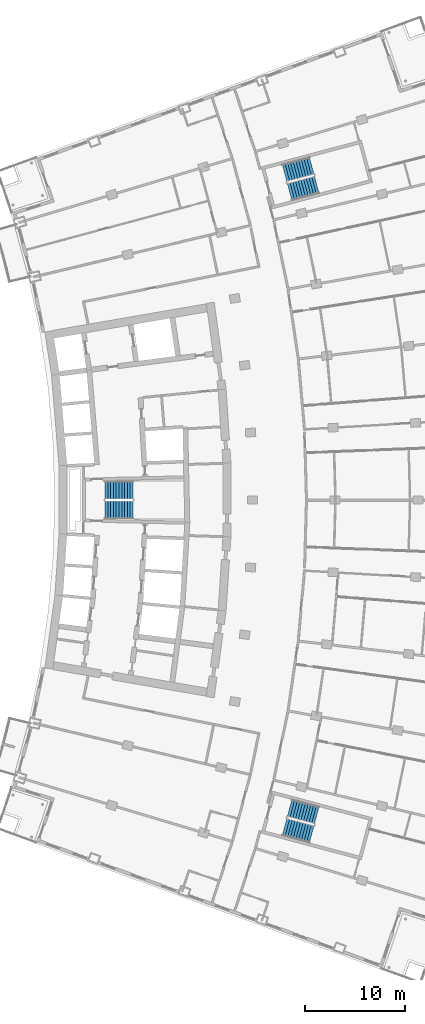
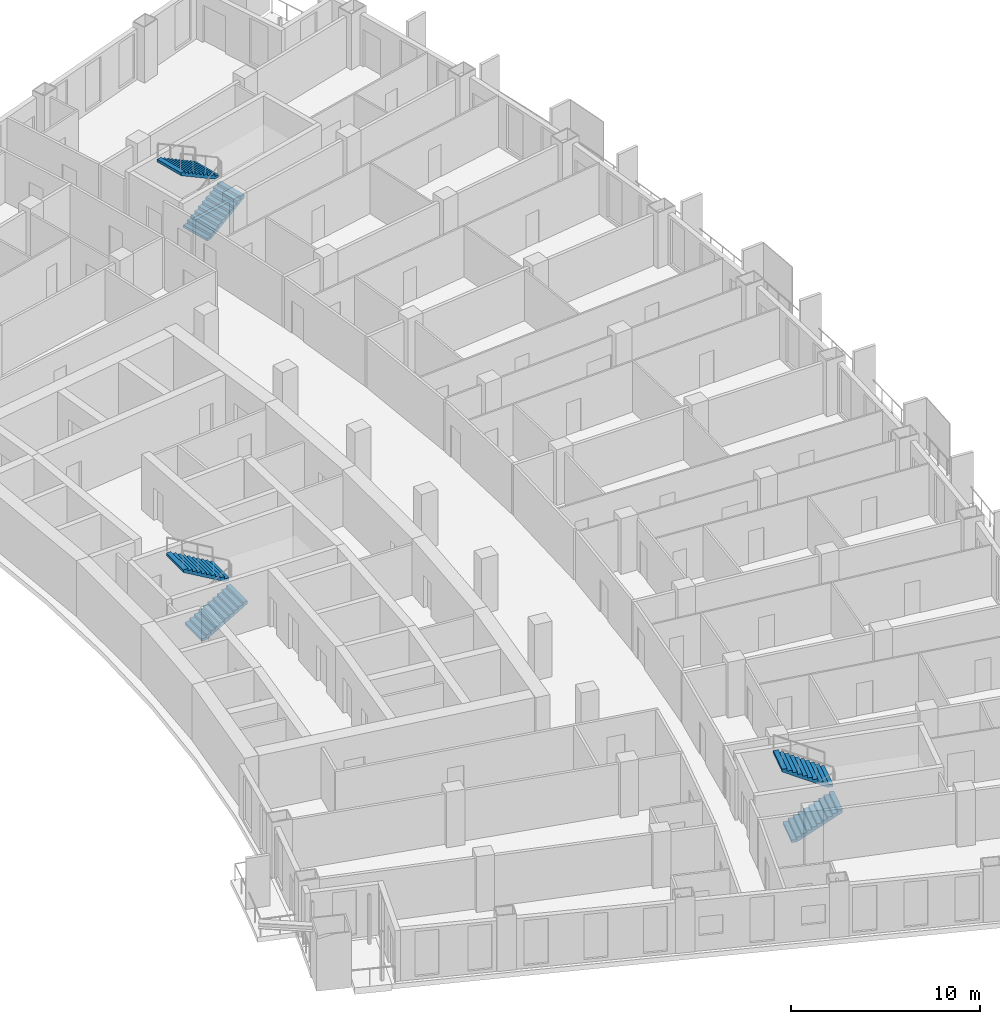
# One storey, part 22 of 25: 6 stair flights, 3 elements without a shape of their own.
"""IFC4 building model written with IfcOpenShell, lengths in metres."""

import ifcopenshell
import ifcopenshell.guid

model = None  # the IFC model being written
_history = None  # IfcOwnerHistory: only IFC2X3 demands one
_inside = {}  # id of a spatial element -> (the spatial element, [elements in it])
_under = {}  # id of a project, library or spatial element -> (it, [spatial elements below it])
_declared = {}  # id of a project -> (the project, [libraries it declares])
_typed = {}  # id of a type object -> (the type object, [elements of that type])
_made_of = {}  # id of a material, layer set ... -> (it, [elements and type objects made of it])


def new_model(schema):
    """Start an empty IFC model of exactly this schema.

    Asked for "IFC4X3", IfcOpenShell would pick the latest addendum, in which some entities
    have other attributes; the version numbers below select the first issue.
    IFC2X3 requires an IfcOwnerHistory on every rooted entity: one is made here for all.
    """
    global model, _history
    if schema == "IFC4X3":
        model = ifcopenshell.file(schema_version=(4, 3, 0, 0))
    else:
        model = ifcopenshell.file(schema=schema)
    _inside.clear()
    _under.clear()
    _declared.clear()
    _typed.clear()
    _made_of.clear()
    _history = None
    if model.schema == "IFC2X3":
        org = make("IfcOrganization", Name="unknown")
        user = make(
            "IfcPersonAndOrganization",
            ThePerson=make("IfcPerson", FamilyName="unknown"),
            TheOrganization=org,
        )
        app = make(
            "IfcApplication",
            ApplicationDeveloper=org,
            Version="unknown",
            ApplicationFullName="unknown",
            ApplicationIdentifier="unknown",
        )
        _history = make(
            "IfcOwnerHistory",
            OwningUser=user,
            OwningApplication=app,
            ChangeAction="ADDED",
            CreationDate=0,
        )
    return model


def make(cls, **values):
    """One entity of the class cls with the attributes given. An attribute that is None is left unset."""
    return model.create_entity(
        cls, **{name: value for name, value in values.items() if value is not None}
    )


def rooted(cls, **values):
    """An entity with a GlobalId (a new one), such as an element, a storey or a relation."""
    return make(cls, GlobalId=ifcopenshell.guid.new(), OwnerHistory=_history, **values)


def si_unit(unit_type, name, prefix=None):
    """IfcSIUnit, for example si_unit("LENGTHUNIT", "METRE", prefix="MILLI")."""
    return make("IfcSIUnit", UnitType=unit_type, Prefix=prefix, Name=name)


def assignment(units):
    """IfcUnitAssignment: the units of a project."""
    return None if units is None else make("IfcUnitAssignment", Units=units)


def point(xyz):
    """IfcCartesianPoint."""
    return None if xyz is None else make("IfcCartesianPoint", Coordinates=xyz)


def direction(xyz):
    """IfcDirection."""
    return None if xyz is None else make("IfcDirection", DirectionRatios=xyz)


def frame(location, z_axis=None, x_axis=None):
    """IfcAxis2Placement3D, a coordinate frame: its origin and axes. An axis left out is left unset."""
    return make(
        "IfcAxis2Placement3D",
        Location=point(location),
        Axis=direction(z_axis),
        RefDirection=direction(x_axis),
    )


def origin():
    """The frame at (0, 0, 0) with its axes left unset."""
    return frame((0.0, 0.0, 0.0))


def place(relative_to, where):
    """IfcLocalPlacement: puts the frame where relative to a parent placement (None: the world)."""
    return make(
        "IfcLocalPlacement", PlacementRelTo=relative_to, RelativePlacement=where
    )


def context(
    kind, dimensions, precision=None, world=None, true_north=None, identifier=None
):
    """IfcGeometricRepresentationContext, for example the 3D "Model" context."""
    return make(
        "IfcGeometricRepresentationContext",
        ContextIdentifier=identifier,
        ContextType=kind,
        CoordinateSpaceDimension=dimensions,
        Precision=precision,
        WorldCoordinateSystem=world,
        TrueNorth=true_north,
    )


def subcontext(parent, identifier, kind, view, scale=None):
    """IfcGeometricRepresentationSubContext, for example "Body" below "Model"."""
    return make(
        "IfcGeometricRepresentationSubContext",
        ContextIdentifier=identifier,
        ContextType=kind,
        ParentContext=parent,
        TargetScale=scale,
        TargetView=view,
    )


def project(units=None, contexts=None):
    """IfcProject with its units and contexts."""
    return rooted(
        "IfcProject",
        Name="project",
        RepresentationContexts=contexts,
        UnitsInContext=assignment(units),
    )


def spatial(cls, under=None, at=None, **own):
    """A site, building, storey or space (cls), placed at a placement, below another one or the project."""
    s = rooted(cls, ObjectPlacement=at, **own)
    if under is not None:
        _under.setdefault(under.id(), (under, []))[1].append(s)
    return s


def polyline(points):
    """IfcPolyline through the points."""
    return make("IfcPolyline", Points=[point(p) for p in points])


def outline(outer, holes=None, kind="AREA"):
    """IfcArbitraryClosedProfileDef: a profile drawn as a closed curve; with holes, ...WithVoids."""
    if holes is None:
        return make("IfcArbitraryClosedProfileDef", ProfileType=kind, OuterCurve=outer)
    return make(
        "IfcArbitraryProfileDefWithVoids",
        ProfileType=kind,
        OuterCurve=outer,
        InnerCurves=holes,
    )


def extrude(swept, where, along, depth):
    """IfcExtrudedAreaSolid: the profile swept, set in the frame where, extruded along a direction by depth."""
    return make(
        "IfcExtrudedAreaSolid",
        SweptArea=swept,
        Position=where,
        ExtrudedDirection=direction(along),
        Depth=depth,
    )


def shape(context_of_items, identifier, shape_type, items):
    """IfcShapeRepresentation: the items that make up one representation, for example the "Body"."""
    return make(
        "IfcShapeRepresentation",
        ContextOfItems=context_of_items,
        RepresentationIdentifier=identifier,
        RepresentationType=shape_type,
        Items=items,
    )


def material(Name=None, Category=None):
    """IfcMaterial."""
    return make("IfcMaterial", Name=Name, Category=Category)


def layer(
    of_material, thickness, ventilated=None, Name=None, Category=None, Priority=None
):
    """IfcMaterialLayer: one layer of a wall or slab, of a material (None: an air gap)."""
    return make(
        "IfcMaterialLayer",
        Material=of_material,
        LayerThickness=thickness,
        IsVentilated=ventilated,
        Name=Name,
        Category=Category,
        Priority=Priority,
    )


def layer_set(layers, Name=None):
    """IfcMaterialLayerSet."""
    return make("IfcMaterialLayerSet", MaterialLayers=layers, LayerSetName=Name)


def made_of(thing, what):
    """Note that an element or type object is made of a material, layer set ...; save() writes the relation."""
    if what is not None:
        _made_of.setdefault(what.id(), (what, []))[1].append(thing)
    return thing


def type_object(cls, material=None, **own):
    """A type object (cls), such as IfcWallType, which elements share."""
    return made_of(rooted(cls, **own), material)


def element(
    cls,
    number,
    at=None,
    inside=None,
    cuts=None,
    type_object=None,
    material=None,
    context=None,
    identifier="Body",
    shape_type=None,
    held_by="IfcProductDefinitionShape",
    body=None,
    shapes=None,
    **own,
):
    """One element of the class cls, such as IfcWall. Its Tag is "e" and its number.

    at: its placement. inside: the storey or other place that contains it. cuts: it is an
    opening in that element (IfcRelVoidsElement). A single representation is given by context,
    identifier, shape_type and body (its items); several are given by shapes. held_by: the class
    of the entity that holds the representations. save() writes the other relations.
    """
    e = rooted(cls, Tag="e%d" % number, ObjectPlacement=at, **own)
    if body is not None:
        shapes = [shape(context, identifier, shape_type, body)]
    if shapes is not None:
        e.Representation = make(held_by, Representations=shapes)
    if inside is not None:
        _inside.setdefault(inside.id(), (inside, []))[1].append(e)
    if cuts is not None:
        rooted(
            "IfcRelVoidsElement", RelatingBuildingElement=cuts, RelatedOpeningElement=e
        )
    if type_object is not None:
        _typed.setdefault(type_object.id(), (type_object, []))[1].append(e)
    return made_of(e, material)


def aggregate(whole, parts):
    """IfcRelAggregates: a whole, such as a stair, and the parts it consists of."""
    return rooted("IfcRelAggregates", RelatingObject=whole, RelatedObjects=parts)


def save(model, path):
    """Write the relations noted so far, then the file.

    IfcRelAggregates (storeys below a building ...), IfcRelContainedInSpatialStructure (elements
    in a storey), IfcRelDefinesByType, IfcRelAssociatesMaterial and IfcRelDeclares: one each for
    every whole, place, type object, material and project.
    """
    for whole, parts in _under.values():
        aggregate(whole, parts)
    for where, things in _inside.values():
        rooted(
            "IfcRelContainedInSpatialStructure",
            RelatedElements=things,
            RelatingStructure=where,
        )
    for kind, things in _typed.values():
        rooted("IfcRelDefinesByType", RelatedObjects=things, RelatingType=kind)
    for what, things in _made_of.values():
        rooted("IfcRelAssociatesMaterial", RelatedObjects=things, RelatingMaterial=what)
    for by, libraries in _declared.values():
        rooted("IfcRelDeclares", RelatingContext=by, RelatedDefinitions=libraries)
    model.write(path)


model = new_model("IFC4")

# Units and contexts
model_context = context("Model", 3, precision=1e-05, world=origin(), true_north=direction((0.0, 1.0)))
body_context = subcontext(model_context, "Body", "Model", "MODEL_VIEW")
ifc_project = project(units=[si_unit("LENGTHUNIT", "METRE"), si_unit("AREAUNIT", "SQUARE_METRE"), si_unit("VOLUMEUNIT", "CUBIC_METRE"), si_unit("PLANEANGLEUNIT", "RADIAN"), si_unit("MASSUNIT", "GRAM", prefix="KILO")], contexts=[model_context])

# Site, building, storey
site_placement = place(None, origin())
site = spatial("IfcSite", under=ifc_project, at=site_placement, CompositionType="ELEMENT")
building_placement = place(site_placement, origin())
building = spatial("IfcBuilding", under=site, at=building_placement, Name="Alderwake Tower", CompositionType="ELEMENT")
storey_placement = place(building_placement, frame((0.0, 0.0, 118.39990234375)))
storey = spatial("IfcBuildingStorey", under=building, at=storey_placement, Name="L29", CompositionType="ELEMENT", Elevation=118.39990234375)

# Stair, stair flights
ifc_material_1 = material(Name="Concrete C40/50", Category="concrete")
stair_type = type_object("IfcStairType", Name="Core exit stair", PredefinedType="HALF_TURN_STAIR", material=ifc_material_1)
stair_1_placement = place(storey_placement, origin())
stair_1 = element("IfcStair", 1, at=stair_1_placement, inside=storey, type_object=stair_type, Name="L29 Exit Stair B", PredefinedType="HALF_TURN_STAIR")
ifc_material_2 = material(Name="Concrete C40/50", Category="concrete")
ifc_layer = layer(ifc_material_2, 0.14990234375)
ifc_layer_set = layer_set([ifc_layer], Name="Core stair flight")
stair_flight_type = type_object("IfcStairFlightType", Name="Core stair flight", PredefinedType="STRAIGHT", material=ifc_layer_set)
stair_flight_1_placement = place(storey_placement, frame((21.0400390625, 60.02490234375, 0.0), z_axis=(0.0, 0.0, 1.0), x_axis=(1.0, 0.0, 0.0)))
stair_flight_1 = element("IfcStairFlight", 2, at=stair_flight_1_placement, type_object=stair_flight_type, Name="ST-B flight 1", NumberOfRisers=11, NumberOfTreads=10, PredefinedType="STRAIGHT", RiserHeight=0.163636364, TreadLength=0.28, context=body_context, shape_type="SweptSolid", body=[
    extrude(outline(polyline([(0.0, 0.0), (0.0, 0.16357421875), (0.280029296875, 0.16357421875), (0.280029296875, 0.327392578125), (0.56005859375, 0.327392578125), (0.56005859375, 0.490966796875), (0.840087890625, 0.490966796875), (0.840087890625, 0.654541015625), (1.1201171875, 0.654541015625), (1.1201171875, 0.818115234375), (1.39990234375, 0.818115234375), (1.39990234375, 0.98193359375), (1.679931640625, 0.98193359375), (1.679931640625, 1.1455078125), (1.9599609375, 1.1455078125), (1.9599609375, 1.30908203125), (2.239990234375, 1.30908203125), (2.239990234375, 1.47265625), (2.52001953125, 1.47265625), (2.52001953125, 1.636474609375), (2.800048828125, 1.636474609375), (2.800048828125, 1.800048828125), (2.800048828125, 1.462646484375), (0.297119140625, 0.0), (0.0, 0.0)])), frame((0.0, 0.89990234375, 0.0), z_axis=(0.0, -1.0, 0.0), x_axis=(1.0, 0.0, 0.0)), (0.0, 0.0, 1.0), 1.800048828125),
])
stair_flight_2_placement = place(storey_placement, frame((23.840087890625, 61.97509765625, 1.800048828125), z_axis=(0.0, 0.0, 1.0), x_axis=(-1.0, 0.0, 0.0)))
stair_flight_2 = element("IfcStairFlight", 3, at=stair_flight_2_placement, type_object=stair_flight_type, Name="ST-B flight 2", NumberOfRisers=11, NumberOfTreads=10, PredefinedType="STRAIGHT", RiserHeight=0.163636364, TreadLength=0.28, context=body_context, shape_type="SweptSolid", body=[
    extrude(outline(polyline([(0.0, 0.0), (0.0, 0.16357421875), (0.280029296875, 0.16357421875), (0.280029296875, 0.327392578125), (0.56005859375, 0.327392578125), (0.56005859375, 0.490966796875), (0.840087890625, 0.490966796875), (0.840087890625, 0.654541015625), (1.1201171875, 0.654541015625), (1.1201171875, 0.818115234375), (1.39990234375, 0.818115234375), (1.39990234375, 0.98193359375), (1.679931640625, 0.98193359375), (1.679931640625, 1.1455078125), (1.9599609375, 1.1455078125), (1.9599609375, 1.30908203125), (2.239990234375, 1.30908203125), (2.239990234375, 1.47265625), (2.52001953125, 1.47265625), (2.52001953125, 1.636474609375), (2.800048828125, 1.636474609375), (2.800048828125, 1.800048828125), (2.800048828125, 1.462646484375), (0.297119140625, 0.0), (0.0, 0.0)])), frame((0.0, 0.89990234375, 0.0), z_axis=(0.0, -1.0, 0.0), x_axis=(1.0, 0.0, 0.0)), (0.0, 0.0, 1.0), 1.800048828125),
])
aggregate(stair_1, [stair_flight_1, stair_flight_2])

stair_2_placement = place(storey_placement, origin())
stair_2 = element("IfcStair", 4, at=stair_2_placement, inside=storey, type_object=stair_type, Name="L29 Exit Stair A", PredefinedType="HALF_TURN_STAIR")
stair_flight_3_placement = place(storey_placement, frame((39.512939453125, 91.823974609375, 0.0), z_axis=(0.0, 0.0, 1.0), x_axis=(0.966309627437, 0.257382407951, 0.0)))
stair_flight_3 = element("IfcStairFlight", 5, at=stair_flight_3_placement, type_object=stair_flight_type, Name="ST-A flight 1", NumberOfRisers=11, NumberOfTreads=10, PredefinedType="STRAIGHT", RiserHeight=0.163636364, TreadLength=0.28, context=body_context, shape_type="SweptSolid", body=[
    extrude(outline(polyline([(0.0, 0.0), (0.0, 0.16357421875), (0.280029296875, 0.16357421875), (0.280029296875, 0.327392578125), (0.56005859375, 0.327392578125), (0.56005859375, 0.490966796875), (0.840087890625, 0.490966796875), (0.840087890625, 0.654541015625), (1.1201171875, 0.654541015625), (1.1201171875, 0.818115234375), (1.39990234375, 0.818115234375), (1.39990234375, 0.98193359375), (1.679931640625, 0.98193359375), (1.679931640625, 1.1455078125), (1.9599609375, 1.1455078125), (1.9599609375, 1.30908203125), (2.239990234375, 1.30908203125), (2.239990234375, 1.47265625), (2.52001953125, 1.47265625), (2.52001953125, 1.636474609375), (2.800048828125, 1.636474609375), (2.800048828125, 1.800048828125), (2.800048828125, 1.462646484375), (0.297119140625, 0.0), (0.0, 0.0)])), frame((0.0, 0.89990234375, 0.0), z_axis=(0.0, -1.0, 0.0), x_axis=(1.0, 0.0, 0.0)), (0.0, 0.0, 1.0), 1.800048828125),
])
stair_flight_4_placement = place(storey_placement, frame((41.716796875, 94.428955078125, 1.800048828125), z_axis=(0.0, 0.0, 1.0), x_axis=(-0.966309627437, -0.257382407951, 0.0)))
stair_flight_4 = element("IfcStairFlight", 6, at=stair_flight_4_placement, type_object=stair_flight_type, Name="ST-A flight 2", NumberOfRisers=11, NumberOfTreads=10, PredefinedType="STRAIGHT", RiserHeight=0.163636364, TreadLength=0.28, context=body_context, shape_type="SweptSolid", body=[
    extrude(outline(polyline([(0.0, 0.0), (0.0, 0.16357421875), (0.280029296875, 0.16357421875), (0.280029296875, 0.327392578125), (0.56005859375, 0.327392578125), (0.56005859375, 0.490966796875), (0.840087890625, 0.490966796875), (0.840087890625, 0.654541015625), (1.1201171875, 0.654541015625), (1.1201171875, 0.818115234375), (1.39990234375, 0.818115234375), (1.39990234375, 0.98193359375), (1.679931640625, 0.98193359375), (1.679931640625, 1.1455078125), (1.9599609375, 1.1455078125), (1.9599609375, 1.30908203125), (2.239990234375, 1.30908203125), (2.239990234375, 1.47265625), (2.52001953125, 1.47265625), (2.52001953125, 1.636474609375), (2.800048828125, 1.636474609375), (2.800048828125, 1.800048828125), (2.800048828125, 1.462646484375), (0.297119140625, 0.0), (0.0, 0.0)])), frame((0.0, 0.89990234375, 0.0), z_axis=(0.0, -1.0, 0.0), x_axis=(1.0, 0.0, 0.0)), (0.0, 0.0, 1.0), 1.800048828125),
])
aggregate(stair_2, [stair_flight_3, stair_flight_4])

stair_3_placement = place(storey_placement, origin())
stair_3 = element("IfcStair", 7, at=stair_3_placement, inside=storey, type_object=stair_type, Name="L29 Exit Stair C", PredefinedType="HALF_TURN_STAIR")
stair_flight_5_placement = place(storey_placement, frame((39.010986328125, 28.291748046875, 0.0), z_axis=(0.0, 0.0, 1.0), x_axis=(0.966309627437, -0.257382407951, 0.0)))
stair_flight_5 = element("IfcStairFlight", 8, at=stair_flight_5_placement, type_object=stair_flight_type, Name="ST-C flight 1", NumberOfRisers=11, NumberOfTreads=10, PredefinedType="STRAIGHT", RiserHeight=0.163636364, TreadLength=0.28, context=body_context, shape_type="SweptSolid", body=[
    extrude(outline(polyline([(0.0, 0.0), (0.0, 0.16357421875), (0.280029296875, 0.16357421875), (0.280029296875, 0.327392578125), (0.56005859375, 0.327392578125), (0.56005859375, 0.490966796875), (0.840087890625, 0.490966796875), (0.840087890625, 0.654541015625), (1.1201171875, 0.654541015625), (1.1201171875, 0.818115234375), (1.39990234375, 0.818115234375), (1.39990234375, 0.98193359375), (1.679931640625, 0.98193359375), (1.679931640625, 1.1455078125), (1.9599609375, 1.1455078125), (1.9599609375, 1.30908203125), (2.239990234375, 1.30908203125), (2.239990234375, 1.47265625), (2.52001953125, 1.47265625), (2.52001953125, 1.636474609375), (2.800048828125, 1.636474609375), (2.800048828125, 1.800048828125), (2.800048828125, 1.462646484375), (0.297119140625, 0.0), (0.0, 0.0)])), frame((0.0, 0.89990234375, 0.0), z_axis=(0.0, -1.0, 0.0), x_axis=(1.0, 0.0, 0.0)), (0.0, 0.0, 1.0), 1.800048828125),
])
stair_flight_6_placement = place(storey_placement, frame((42.218505859375, 29.455322265625, 1.800048828125), z_axis=(0.0, 0.0, 1.0), x_axis=(-0.966309627437, 0.257382407951, 0.0)))
stair_flight_6 = element("IfcStairFlight", 9, at=stair_flight_6_placement, type_object=stair_flight_type, Name="ST-C flight 2", NumberOfRisers=11, NumberOfTreads=10, PredefinedType="STRAIGHT", RiserHeight=0.163636364, TreadLength=0.28, context=body_context, shape_type="SweptSolid", body=[
    extrude(outline(polyline([(0.0, 0.0), (0.0, 0.16357421875), (0.280029296875, 0.16357421875), (0.280029296875, 0.327392578125), (0.56005859375, 0.327392578125), (0.56005859375, 0.490966796875), (0.840087890625, 0.490966796875), (0.840087890625, 0.654541015625), (1.1201171875, 0.654541015625), (1.1201171875, 0.818115234375), (1.39990234375, 0.818115234375), (1.39990234375, 0.98193359375), (1.679931640625, 0.98193359375), (1.679931640625, 1.1455078125), (1.9599609375, 1.1455078125), (1.9599609375, 1.30908203125), (2.239990234375, 1.30908203125), (2.239990234375, 1.47265625), (2.52001953125, 1.47265625), (2.52001953125, 1.636474609375), (2.800048828125, 1.636474609375), (2.800048828125, 1.800048828125), (2.800048828125, 1.462646484375), (0.297119140625, 0.0), (0.0, 0.0)])), frame((0.0, 0.89990234375, 0.0), z_axis=(0.0, -1.0, 0.0), x_axis=(1.0, 0.0, 0.0)), (0.0, 0.0, 1.0), 1.800048828125),
])
aggregate(stair_3, [stair_flight_5, stair_flight_6])

save(model, "model.ifc")
